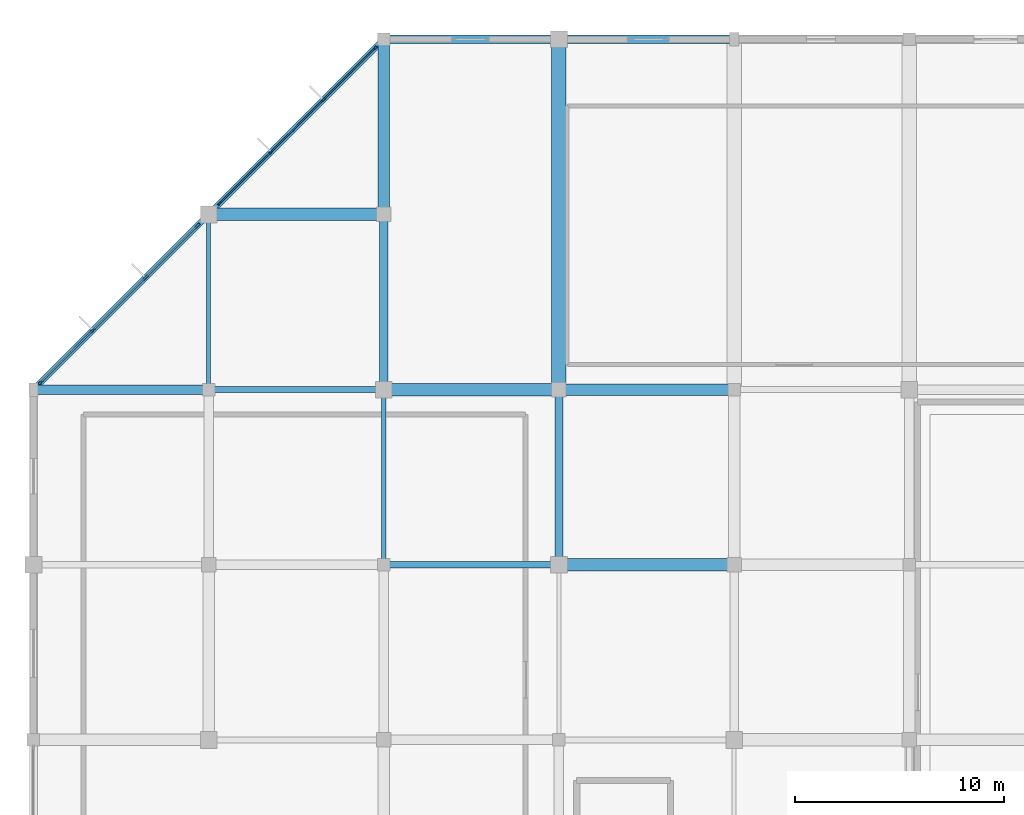
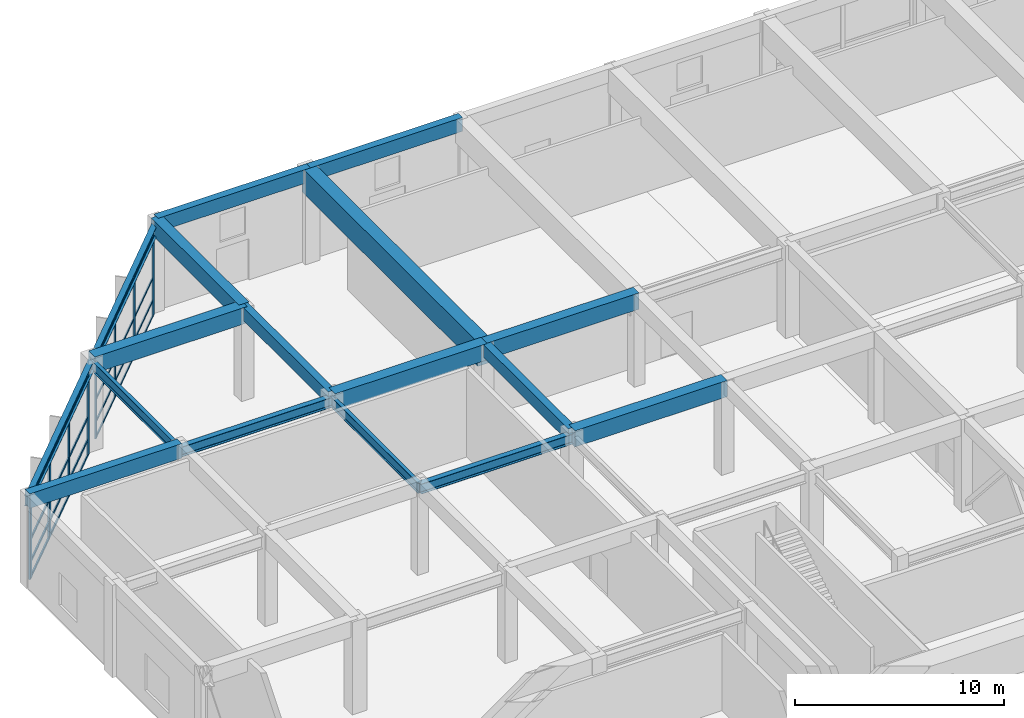
# One storey, part 20 of 62: 32 members, 17 beams, 2 elements without a shape of their own.
"""IFC4 building model written with IfcOpenShell, lengths in metres."""

from ifc_helpers import new_model, si_unit, direction, frame, origin, origin_2d, place, context, subcontext, project, spatial, rectangle, i_section, extrude, material, material_profile, profile_set, type_object, element, aggregate, save


model = new_model("IFC4")

# Units and contexts
model_context = context("Model", 3, precision=1e-05, world=origin(), true_north=direction((0.0, 1.0)))
body_context = subcontext(model_context, "Body", "Model", "MODEL_VIEW")
ifc_project = project(units=[si_unit("LENGTHUNIT", "METRE"), si_unit("AREAUNIT", "SQUARE_METRE"), si_unit("VOLUMEUNIT", "CUBIC_METRE"), si_unit("PLANEANGLEUNIT", "RADIAN"), si_unit("MASSUNIT", "GRAM", prefix="KILO")], contexts=[model_context])

# Site, building, storey
site_placement = place(None, origin())
site = spatial("IfcSite", under=ifc_project, at=site_placement, CompositionType="ELEMENT")
building_placement = place(site_placement, origin())
building = spatial("IfcBuilding", under=site, at=building_placement, Name="Xuanlan Plaza Opera House", CompositionType="ELEMENT")
storey_placement = place(building_placement, origin())
storey = spatial("IfcBuildingStorey", under=building, at=storey_placement, Name="L00", CompositionType="ELEMENT", Elevation=0.0)

# Curtain wall, members
ifc_material_1 = material(Name="Anodised Aluminium 6063-T6 and Low-E Glass", Category="aluminium")
curtain_wall_type_1 = type_object("IfcCurtainWallType", Name="ENV-CW-CW-01", PredefinedType="USERDEFINED", material=ifc_material_1)
curtain_wall_1_placement = place(storey_placement, origin())
curtain_wall_1 = element("IfcCurtainWall", 1, at=curtain_wall_1_placement, inside=storey, type_object=curtain_wall_type_1, Name="Unitised Curtain Wall L00-047", ObjectType="UNITISED CURTAIN WALL", PredefinedType="USERDEFINED")
ifc_material_2 = material(Name="Anodised Aluminium 6063-T6", Category="aluminium")
ifc_material_profile_1 = material_profile(ifc_material_2, rectangle(XDim=0.080078125, YDim=0.219970703125, at=origin_2d()), Name="ALU-M 80x220")
ifc_profile_set_1 = profile_set([ifc_material_profile_1], Name="Anodised Aluminium 6063-T6")
member_type_1 = type_object("IfcMemberType", Name="ENV-CWM-04", PredefinedType="MULLION", material=ifc_profile_set_1)
member_1_placement = place(storey_placement, frame((16.372802734375, 117.172607421875, 0.0), z_axis=(0.0, 0.0, 1.0), x_axis=(0.707106781187, -0.707106781187, 0.0)))
member_1 = element("IfcMember", 2, at=member_1_placement, type_object=member_type_1, Name="CW-01 mullion 1", PredefinedType="MULLION", context=body_context, shape_type="SweptSolid", body=[
    extrude(rectangle(XDim=0.080078125, YDim=0.219970703125, at=origin_2d()), origin(), (0.0, 0.0, 1.0), 4.580078125),
])
member_2_placement = place(storey_placement, frame((13.900390625, 114.700439453125, 0.0), z_axis=(0.0, 0.0, 1.0), x_axis=(0.707106781187, -0.707106781187, 0.0)))
member_2 = element("IfcMember", 3, at=member_2_placement, type_object=member_type_1, Name="CW-01 mullion 2", PredefinedType="MULLION", context=body_context, shape_type="SweptSolid", body=[
    extrude(rectangle(XDim=0.080078125, YDim=0.219970703125, at=origin_2d()), origin(), (0.0, 0.0, 1.0), 4.580078125),
])
member_3_placement = place(storey_placement, frame((11.399658203125, 112.19970703125, 0.0), z_axis=(0.0, 0.0, 1.0), x_axis=(0.707106781187, -0.707106781187, 0.0)))
member_3 = element("IfcMember", 4, at=member_3_placement, type_object=member_type_1, Name="CW-01 mullion 3", PredefinedType="MULLION", context=body_context, shape_type="SweptSolid", body=[
    extrude(rectangle(XDim=0.080078125, YDim=0.219970703125, at=origin_2d()), origin(), (0.0, 0.0, 1.0), 4.580078125),
])
member_4_placement = place(storey_placement, frame((8.92724609375, 109.727294921875, 0.0), z_axis=(0.0, 0.0, 1.0), x_axis=(0.707106781187, -0.707106781187, 0.0)))
member_4 = element("IfcMember", 5, at=member_4_placement, type_object=member_type_1, Name="CW-01 mullion 4", PredefinedType="MULLION", context=body_context, shape_type="SweptSolid", body=[
    extrude(rectangle(XDim=0.080078125, YDim=0.219970703125, at=origin_2d()), origin(), (0.0, 0.0, 1.0), 4.580078125),
])

curtain_wall_type_2 = type_object("IfcCurtainWallType", Name="ENV-CW-CW-02", PredefinedType="USERDEFINED", material=ifc_material_1)
curtain_wall_2_placement = place(storey_placement, origin())
curtain_wall_2 = element("IfcCurtainWall", 6, at=curtain_wall_2_placement, inside=storey, type_object=curtain_wall_type_2, Name="Unitised Curtain Wall L00-048", ObjectType="UNITISED CURTAIN WALL", PredefinedType="USERDEFINED")
ifc_material_profile_2 = material_profile(ifc_material_2, rectangle(XDim=0.090087890625, YDim=0.25, at=origin_2d()), Name="ALU-M 90x250")
ifc_profile_set_2 = profile_set([ifc_material_profile_2], Name="Anodised Aluminium 6063-T6")
member_type_2 = type_object("IfcMemberType", Name="ENV-CWM-05", PredefinedType="MULLION", material=ifc_profile_set_2)
member_5_placement = place(storey_placement, frame((7.869140625, 108.669189453125, 0.0), z_axis=(0.0, 0.0, 1.0), x_axis=(0.707106781187, -0.707106781187, 0.0)))
member_5 = element("IfcMember", 7, at=member_5_placement, type_object=member_type_2, Name="CW-02 mullion 1", PredefinedType="MULLION", context=body_context, shape_type="SweptSolid", body=[
    extrude(rectangle(XDim=0.090087890625, YDim=0.25, at=origin_2d()), origin(), (0.0, 0.0, 1.0), 4.580078125),
])
member_6_placement = place(storey_placement, frame((5.375244140625, 106.17529296875, 0.0), z_axis=(0.0, 0.0, 1.0), x_axis=(0.707106781187, -0.707106781187, 0.0)))
member_6 = element("IfcMember", 8, at=member_6_placement, type_object=member_type_2, Name="CW-02 mullion 2", PredefinedType="MULLION", context=body_context, shape_type="SweptSolid", body=[
    extrude(rectangle(XDim=0.090087890625, YDim=0.25, at=origin_2d()), origin(), (0.0, 0.0, 1.0), 4.580078125),
])
member_7_placement = place(storey_placement, frame((2.849609375, 103.649658203125, 0.0), z_axis=(0.0, 0.0, 1.0), x_axis=(0.707106781187, -0.707106781187, 0.0)))
member_7 = element("IfcMember", 9, at=member_7_placement, type_object=member_type_2, Name="CW-02 mullion 3", PredefinedType="MULLION", context=body_context, shape_type="SweptSolid", body=[
    extrude(rectangle(XDim=0.090087890625, YDim=0.25, at=origin_2d()), origin(), (0.0, 0.0, 1.0), 4.580078125),
])
member_8_placement = place(storey_placement, frame((0.355712890625, 101.15576171875, 0.0), z_axis=(0.0, 0.0, 1.0), x_axis=(0.707106781187, -0.707106781187, 0.0)))
member_8 = element("IfcMember", 10, at=member_8_placement, type_object=member_type_2, Name="CW-02 mullion 4", PredefinedType="MULLION", context=body_context, shape_type="SweptSolid", body=[
    extrude(rectangle(XDim=0.090087890625, YDim=0.25, at=origin_2d()), origin(), (0.0, 0.0, 1.0), 4.580078125),
])

# Member
ifc_material_profile_3 = material_profile(ifc_material_2, rectangle(XDim=0.06494140625, YDim=0.1201171875, at=origin_2d()), Name="ALU-T 65x120")
ifc_profile_set_3 = profile_set([ifc_material_profile_3], Name="Anodised Aluminium 6063-T6")
member_type_3 = type_object("IfcMemberType", Name="ENV-CWT-01", PredefinedType="USERDEFINED", material=ifc_profile_set_3)
member_9_placement = place(storey_placement, frame((16.344482421875, 117.14453125, 0.032470703125), z_axis=(-0.70707105158, -0.707142508988, 0.0), x_axis=(0.707142508988, -0.70707105158, 0.0)))
member_9 = element("IfcMember", 11, at=member_9_placement, type_object=member_type_3, Name="CW-01 transom 1.1", ObjectType="TRANSOM", PredefinedType="USERDEFINED", context=body_context, shape_type="SweptSolid", body=[
    extrude(rectangle(XDim=0.06494140625, YDim=0.1201171875, at=origin_2d()), origin(), (0.0, 0.0, 1.0), 3.41650390625),
])

member_10_placement = place(storey_placement, frame((16.344482421875, 117.14453125, 0.949951171875), z_axis=(-0.70707105158, -0.707142508988, 0.0), x_axis=(0.707142508988, -0.70707105158, 0.0)))
member_10 = element("IfcMember", 12, at=member_10_placement, type_object=member_type_3, Name="CW-01 transom 1.2", ObjectType="TRANSOM", PredefinedType="USERDEFINED", context=body_context, shape_type="SweptSolid", body=[
    extrude(rectangle(XDim=0.06494140625, YDim=0.1201171875, at=origin_2d()), origin(), (0.0, 0.0, 1.0), 3.41650390625),
])

member_11_placement = place(storey_placement, frame((16.344482421875, 117.14453125, 2.25), z_axis=(-0.70707105158, -0.707142508988, 0.0), x_axis=(0.707142508988, -0.70707105158, 0.0)))
member_11 = element("IfcMember", 13, at=member_11_placement, type_object=member_type_3, Name="CW-01 transom 1.3", ObjectType="TRANSOM", PredefinedType="USERDEFINED", context=body_context, shape_type="SweptSolid", body=[
    extrude(rectangle(XDim=0.06494140625, YDim=0.1201171875, at=origin_2d()), origin(), (0.0, 0.0, 1.0), 3.41650390625),
])

member_12_placement = place(storey_placement, frame((16.344482421875, 117.14453125, 4.547607421875), z_axis=(-0.70707105158, -0.707142508988, 0.0), x_axis=(0.707142508988, -0.70707105158, 0.0)))
member_12 = element("IfcMember", 14, at=member_12_placement, type_object=member_type_3, Name="CW-01 transom 1.4", ObjectType="TRANSOM", PredefinedType="USERDEFINED", context=body_context, shape_type="SweptSolid", body=[
    extrude(rectangle(XDim=0.06494140625, YDim=0.1201171875, at=origin_2d()), origin(), (0.0, 0.0, 1.0), 3.41650390625),
])

member_13_placement = place(storey_placement, frame((13.8720703125, 114.672119140625, 0.032470703125), z_axis=(-0.707106781187, -0.707106781187, 0.0), x_axis=(0.707106781187, -0.707106781187, 0.0)))
member_13 = element("IfcMember", 15, at=member_13_placement, type_object=member_type_3, Name="CW-01 transom 2.1", ObjectType="TRANSOM", PredefinedType="USERDEFINED", context=body_context, shape_type="SweptSolid", body=[
    extrude(rectangle(XDim=0.06494140625, YDim=0.1201171875, at=origin_2d()), origin(), (0.0, 0.0, 1.0), 3.45654296875),
])

member_14_placement = place(storey_placement, frame((13.8720703125, 114.672119140625, 0.949951171875), z_axis=(-0.707106781187, -0.707106781187, 0.0), x_axis=(0.707106781187, -0.707106781187, 0.0)))
member_14 = element("IfcMember", 16, at=member_14_placement, type_object=member_type_3, Name="CW-01 transom 2.2", ObjectType="TRANSOM", PredefinedType="USERDEFINED", context=body_context, shape_type="SweptSolid", body=[
    extrude(rectangle(XDim=0.06494140625, YDim=0.1201171875, at=origin_2d()), origin(), (0.0, 0.0, 1.0), 3.45654296875),
])

member_15_placement = place(storey_placement, frame((13.8720703125, 114.672119140625, 2.25), z_axis=(-0.707106781187, -0.707106781187, 0.0), x_axis=(0.707106781187, -0.707106781187, 0.0)))
member_15 = element("IfcMember", 17, at=member_15_placement, type_object=member_type_3, Name="CW-01 transom 2.3", ObjectType="TRANSOM", PredefinedType="USERDEFINED", context=body_context, shape_type="SweptSolid", body=[
    extrude(rectangle(XDim=0.06494140625, YDim=0.1201171875, at=origin_2d()), origin(), (0.0, 0.0, 1.0), 3.45654296875),
])

member_16_placement = place(storey_placement, frame((13.8720703125, 114.672119140625, 4.547607421875), z_axis=(-0.707106781187, -0.707106781187, 0.0), x_axis=(0.707106781187, -0.707106781187, 0.0)))
member_16 = element("IfcMember", 18, at=member_16_placement, type_object=member_type_3, Name="CW-01 transom 2.4", ObjectType="TRANSOM", PredefinedType="USERDEFINED", context=body_context, shape_type="SweptSolid", body=[
    extrude(rectangle(XDim=0.06494140625, YDim=0.1201171875, at=origin_2d()), origin(), (0.0, 0.0, 1.0), 3.45654296875),
])

member_17_placement = place(storey_placement, frame((11.371337890625, 112.17138671875, 0.032470703125), z_axis=(-0.707106781187, -0.707106781187, 0.0), x_axis=(0.707106781187, -0.707106781187, 0.0)))
member_17 = element("IfcMember", 19, at=member_17_placement, type_object=member_type_3, Name="CW-01 transom 3.1", ObjectType="TRANSOM", PredefinedType="USERDEFINED", context=body_context, shape_type="SweptSolid", body=[
    extrude(rectangle(XDim=0.06494140625, YDim=0.1201171875, at=origin_2d()), origin(), (0.0, 0.0, 1.0), 3.41650390625),
])

member_18_placement = place(storey_placement, frame((11.371337890625, 112.17138671875, 0.949951171875), z_axis=(-0.707106781187, -0.707106781187, 0.0), x_axis=(0.707106781187, -0.707106781187, 0.0)))
member_18 = element("IfcMember", 20, at=member_18_placement, type_object=member_type_3, Name="CW-01 transom 3.2", ObjectType="TRANSOM", PredefinedType="USERDEFINED", context=body_context, shape_type="SweptSolid", body=[
    extrude(rectangle(XDim=0.06494140625, YDim=0.1201171875, at=origin_2d()), origin(), (0.0, 0.0, 1.0), 3.41650390625),
])

member_19_placement = place(storey_placement, frame((11.371337890625, 112.17138671875, 2.25), z_axis=(-0.707106781187, -0.707106781187, 0.0), x_axis=(0.707106781187, -0.707106781187, 0.0)))
member_19 = element("IfcMember", 21, at=member_19_placement, type_object=member_type_3, Name="CW-01 transom 3.3", ObjectType="TRANSOM", PredefinedType="USERDEFINED", context=body_context, shape_type="SweptSolid", body=[
    extrude(rectangle(XDim=0.06494140625, YDim=0.1201171875, at=origin_2d()), origin(), (0.0, 0.0, 1.0), 3.41650390625),
])

member_20_placement = place(storey_placement, frame((11.371337890625, 112.17138671875, 4.547607421875), z_axis=(-0.707106781187, -0.707106781187, 0.0), x_axis=(0.707106781187, -0.707106781187, 0.0)))
member_20 = element("IfcMember", 22, at=member_20_placement, type_object=member_type_3, Name="CW-01 transom 3.4", ObjectType="TRANSOM", PredefinedType="USERDEFINED", context=body_context, shape_type="SweptSolid", body=[
    extrude(rectangle(XDim=0.06494140625, YDim=0.1201171875, at=origin_2d()), origin(), (0.0, 0.0, 1.0), 3.41650390625),
])

aggregate(curtain_wall_1, [member_1, member_2, member_3, member_4, member_9, member_10, member_11, member_12, member_13, member_14, member_15, member_16, member_17, member_18, member_19, member_20])

ifc_material_profile_4 = material_profile(ifc_material_2, rectangle(XDim=0.074951171875, YDim=0.14990234375, at=origin_2d()), Name="ALU-T 75x150")
ifc_profile_set_4 = profile_set([ifc_material_profile_4], Name="Anodised Aluminium 6063-T6")
member_type_4 = type_object("IfcMemberType", Name="ENV-CWT-03", PredefinedType="USERDEFINED", material=ifc_profile_set_4)
member_21_placement = place(storey_placement, frame((7.83740234375, 108.637451171875, 0.03759765625), z_axis=(-0.707071263353, -0.707142297236, 0.0), x_axis=(0.707142297236, -0.707071263353, 0.0)))
member_21 = element("IfcMember", 23, at=member_21_placement, type_object=member_type_4, Name="CW-02 transom 1.1", ObjectType="TRANSOM", PredefinedType="USERDEFINED", context=body_context, shape_type="SweptSolid", body=[
    extrude(rectangle(XDim=0.074951171875, YDim=0.14990234375, at=origin_2d()), origin(), (0.0, 0.0, 1.0), 3.43701171875),
])

member_22_placement = place(storey_placement, frame((7.83740234375, 108.637451171875, 0.949951171875), z_axis=(-0.707071263353, -0.707142297236, 0.0), x_axis=(0.707142297236, -0.707071263353, 0.0)))
member_22 = element("IfcMember", 24, at=member_22_placement, type_object=member_type_4, Name="CW-02 transom 1.2", ObjectType="TRANSOM", PredefinedType="USERDEFINED", context=body_context, shape_type="SweptSolid", body=[
    extrude(rectangle(XDim=0.074951171875, YDim=0.14990234375, at=origin_2d()), origin(), (0.0, 0.0, 1.0), 3.43701171875),
])

member_23_placement = place(storey_placement, frame((7.83740234375, 108.637451171875, 2.25), z_axis=(-0.707071263353, -0.707142297236, 0.0), x_axis=(0.707142297236, -0.707071263353, 0.0)))
member_23 = element("IfcMember", 25, at=member_23_placement, type_object=member_type_4, Name="CW-02 transom 1.3", ObjectType="TRANSOM", PredefinedType="USERDEFINED", context=body_context, shape_type="SweptSolid", body=[
    extrude(rectangle(XDim=0.074951171875, YDim=0.14990234375, at=origin_2d()), origin(), (0.0, 0.0, 1.0), 3.43701171875),
])

member_24_placement = place(storey_placement, frame((7.83740234375, 108.637451171875, 4.54248046875), z_axis=(-0.707071263353, -0.707142297236, 0.0), x_axis=(0.707142297236, -0.707071263353, 0.0)))
member_24 = element("IfcMember", 26, at=member_24_placement, type_object=member_type_4, Name="CW-02 transom 1.4", ObjectType="TRANSOM", PredefinedType="USERDEFINED", context=body_context, shape_type="SweptSolid", body=[
    extrude(rectangle(XDim=0.074951171875, YDim=0.14990234375, at=origin_2d()), origin(), (0.0, 0.0, 1.0), 3.43701171875),
])

member_25_placement = place(storey_placement, frame((5.343505859375, 106.1435546875, 0.03759765625), z_axis=(-0.707071721228, -0.707141839407, 0.0), x_axis=(0.707141839407, -0.707071721228, 0.0)))
member_25 = element("IfcMember", 27, at=member_25_placement, type_object=member_type_4, Name="CW-02 transom 2.1", ObjectType="TRANSOM", PredefinedType="USERDEFINED", context=body_context, shape_type="SweptSolid", body=[
    extrude(rectangle(XDim=0.074951171875, YDim=0.14990234375, at=origin_2d()), origin(), (0.0, 0.0, 1.0), 3.48193359375),
])

member_26_placement = place(storey_placement, frame((5.343505859375, 106.1435546875, 0.949951171875), z_axis=(-0.707071721228, -0.707141839407, 0.0), x_axis=(0.707141839407, -0.707071721228, 0.0)))
member_26 = element("IfcMember", 28, at=member_26_placement, type_object=member_type_4, Name="CW-02 transom 2.2", ObjectType="TRANSOM", PredefinedType="USERDEFINED", context=body_context, shape_type="SweptSolid", body=[
    extrude(rectangle(XDim=0.074951171875, YDim=0.14990234375, at=origin_2d()), origin(), (0.0, 0.0, 1.0), 3.48193359375),
])

member_27_placement = place(storey_placement, frame((5.343505859375, 106.1435546875, 2.25), z_axis=(-0.707071721228, -0.707141839407, 0.0), x_axis=(0.707141839407, -0.707071721228, 0.0)))
member_27 = element("IfcMember", 29, at=member_27_placement, type_object=member_type_4, Name="CW-02 transom 2.3", ObjectType="TRANSOM", PredefinedType="USERDEFINED", context=body_context, shape_type="SweptSolid", body=[
    extrude(rectangle(XDim=0.074951171875, YDim=0.14990234375, at=origin_2d()), origin(), (0.0, 0.0, 1.0), 3.48193359375),
])

member_28_placement = place(storey_placement, frame((5.343505859375, 106.1435546875, 4.54248046875), z_axis=(-0.707071721228, -0.707141839407, 0.0), x_axis=(0.707141839407, -0.707071721228, 0.0)))
member_28 = element("IfcMember", 30, at=member_28_placement, type_object=member_type_4, Name="CW-02 transom 2.4", ObjectType="TRANSOM", PredefinedType="USERDEFINED", context=body_context, shape_type="SweptSolid", body=[
    extrude(rectangle(XDim=0.074951171875, YDim=0.14990234375, at=origin_2d()), origin(), (0.0, 0.0, 1.0), 3.48193359375),
])

member_29_placement = place(storey_placement, frame((2.81787109375, 103.617919921875, 0.03759765625), z_axis=(-0.707106781187, -0.707106781187, 0.0), x_axis=(0.707106781187, -0.707106781187, 0.0)))
member_29 = element("IfcMember", 31, at=member_29_placement, type_object=member_type_4, Name="CW-02 transom 3.1", ObjectType="TRANSOM", PredefinedType="USERDEFINED", context=body_context, shape_type="SweptSolid", body=[
    extrude(rectangle(XDim=0.074951171875, YDim=0.14990234375, at=origin_2d()), origin(), (0.0, 0.0, 1.0), 3.436767578125),
])

member_30_placement = place(storey_placement, frame((2.81787109375, 103.617919921875, 0.949951171875), z_axis=(-0.707106781187, -0.707106781187, 0.0), x_axis=(0.707106781187, -0.707106781187, 0.0)))
member_30 = element("IfcMember", 32, at=member_30_placement, type_object=member_type_4, Name="CW-02 transom 3.2", ObjectType="TRANSOM", PredefinedType="USERDEFINED", context=body_context, shape_type="SweptSolid", body=[
    extrude(rectangle(XDim=0.074951171875, YDim=0.14990234375, at=origin_2d()), origin(), (0.0, 0.0, 1.0), 3.436767578125),
])

member_31_placement = place(storey_placement, frame((2.81787109375, 103.617919921875, 2.25), z_axis=(-0.707106781187, -0.707106781187, 0.0), x_axis=(0.707106781187, -0.707106781187, 0.0)))
member_31 = element("IfcMember", 33, at=member_31_placement, type_object=member_type_4, Name="CW-02 transom 3.3", ObjectType="TRANSOM", PredefinedType="USERDEFINED", context=body_context, shape_type="SweptSolid", body=[
    extrude(rectangle(XDim=0.074951171875, YDim=0.14990234375, at=origin_2d()), origin(), (0.0, 0.0, 1.0), 3.436767578125),
])

member_32_placement = place(storey_placement, frame((2.81787109375, 103.617919921875, 4.54248046875), z_axis=(-0.707106781187, -0.707106781187, 0.0), x_axis=(0.707106781187, -0.707106781187, 0.0)))
member_32 = element("IfcMember", 34, at=member_32_placement, type_object=member_type_4, Name="CW-02 transom 3.4", ObjectType="TRANSOM", PredefinedType="USERDEFINED", context=body_context, shape_type="SweptSolid", body=[
    extrude(rectangle(XDim=0.074951171875, YDim=0.14990234375, at=origin_2d()), origin(), (0.0, 0.0, 1.0), 3.436767578125),
])

aggregate(curtain_wall_2, [member_5, member_6, member_7, member_8, member_21, member_22, member_23, member_24, member_25, member_26, member_27, member_28, member_29, member_30, member_31, member_32])

# Beams
ifc_material_3 = material(Name="Concrete C50", Category="concrete")
ifc_material_profile_5 = material_profile(ifc_material_3, rectangle(XDim=0.60009765625, YDim=0.949951171875, at=origin_2d()), Name="RC-BM 600x950")
ifc_profile_set_5 = profile_set([ifc_material_profile_5], Name="Concrete C50")
beam_type_1 = type_object("IfcBeamType", Name="STR-BM-B-01", PredefinedType="BEAM", material=ifc_profile_set_5)
beam_1_placement = place(storey_placement, frame((25.199951171875, 92.39990234375, 4.925048828125), z_axis=(1.0, 0.0, 0.0), x_axis=(0.0, 1.0, 0.0)))
element("IfcBeam", 35, at=beam_1_placement, inside=storey, type_object=beam_type_1, Name="Grid Beam X L00 4-5/L", PredefinedType="BEAM", context=body_context, shape_type="SweptSolid", body=[
    extrude(rectangle(XDim=0.60009765625, YDim=0.949951171875, at=origin_2d()), origin(), (0.0, 0.0, 1.0), 8.400146484375),
])
beam_2_placement = place(storey_placement, frame((16.800048828125, 100.800048828125, 4.925048828125), z_axis=(1.0, 0.0, 0.0), x_axis=(0.0, 1.0, 0.0)))
element("IfcBeam", 36, at=beam_2_placement, inside=storey, type_object=beam_type_1, Name="Grid Beam X L00 3-4/M", PredefinedType="BEAM", context=body_context, shape_type="SweptSolid", body=[
    extrude(rectangle(XDim=0.60009765625, YDim=0.949951171875, at=origin_2d()), origin(), (0.0, 0.0, 1.0), 8.39990234375),
])
beam_3_placement = place(storey_placement, frame((8.39990234375, 109.199951171875, 4.925048828125), z_axis=(1.0, 0.0, 0.0), x_axis=(0.0, 1.0, 0.0)))
element("IfcBeam", 37, at=beam_3_placement, inside=storey, type_object=beam_type_1, Name="Grid Beam X L00 2-3/N", PredefinedType="BEAM", context=body_context, shape_type="SweptSolid", body=[
    extrude(rectangle(XDim=0.60009765625, YDim=0.949951171875, at=origin_2d()), origin(), (0.0, 0.0, 1.0), 8.400146484375),
])
ifc_material_profile_6 = material_profile(ifc_material_3, rectangle(XDim=0.550048828125, YDim=0.949951171875, at=origin_2d()), Name="RC-BM 550x950")
ifc_profile_set_6 = profile_set([ifc_material_profile_6], Name="Concrete C50")
beam_type_2 = type_object("IfcBeamType", Name="STR-BM-B-02", PredefinedType="BEAM", material=ifc_profile_set_6)
for number, where, z_axis, x_axis, name in (
    (38, (25.199951171875, 100.800048828125, 4.925048828125), (1.0, 0.0, 0.0), (0.0, 1.0, 0.0), "Grid Beam X L00 4-5/M"),
    (39, (16.800048828125, 109.199951171875, 4.925048828125), (0.0, 1.0, 0.0), (-1.0, 0.0, 0.0), "Grid Beam Y L00 3/N-O"),
):
    element("IfcBeam", number, at=place(storey_placement, frame(where, z_axis=z_axis, x_axis=x_axis)), inside=storey, type_object=beam_type_2, Name=name, PredefinedType="BEAM", context=body_context, shape_type="SweptSolid", body=[
        extrude(rectangle(XDim=0.550048828125, YDim=0.949951171875, at=origin_2d()), origin(), (0.0, 0.0, 1.0), 8.400146484375),
    ])
ifc_material_4 = material(Name="Concrete C40", Category="concrete")
ifc_material_profile_7 = material_profile(ifc_material_4, rectangle(XDim=0.449951171875, YDim=0.85009765625, at=origin_2d()), Name="RC-BM 450x850")
ifc_profile_set_7 = profile_set([ifc_material_profile_7], Name="Concrete C40")
beam_type_3 = type_object("IfcBeamType", Name="STR-BM-B-04", PredefinedType="BEAM", material=ifc_profile_set_7)
beam_4_placement = place(storey_placement, frame((0.0, 100.800048828125, 4.97509765625), z_axis=(1.0, 0.0, 0.0), x_axis=(0.0, 1.0, 0.0)))
element("IfcBeam", 40, at=beam_4_placement, inside=storey, type_object=beam_type_3, Name="Grid Beam X L00 1-2/M", PredefinedType="BEAM", context=body_context, shape_type="SweptSolid", body=[
    extrude(rectangle(XDim=0.449951171875, YDim=0.85009765625, at=origin_2d()), origin(), (0.0, 0.0, 1.0), 8.39990234375),
])
ifc_material_profile_8 = material_profile(ifc_material_4, rectangle(XDim=0.39990234375, YDim=0.75, at=origin_2d()), Name="RC-BM 400x750")
ifc_profile_set_8 = profile_set([ifc_material_profile_8], Name="Concrete C40")
beam_type_4 = type_object("IfcBeamType", Name="STR-BM-B-06", PredefinedType="BEAM", material=ifc_profile_set_8)
beam_5_placement = place(storey_placement, frame((16.800048828125, 100.800048828125, 5.02490234375), z_axis=(0.0, 1.0, 0.0), x_axis=(-1.0, 0.0, 0.0)))
element("IfcBeam", 41, at=beam_5_placement, inside=storey, type_object=beam_type_4, Name="Grid Beam Y L00 3/M-N", PredefinedType="BEAM", context=body_context, shape_type="SweptSolid", body=[
    extrude(rectangle(XDim=0.39990234375, YDim=0.75, at=origin_2d()), origin(), (0.0, 0.0, 1.0), 8.39990234375),
])
beam_6_placement = place(storey_placement, frame((25.199951171875, 92.39990234375, 5.02490234375), z_axis=(0.0, 1.0, 0.0), x_axis=(-1.0, 0.0, 0.0)))
element("IfcBeam", 42, at=beam_6_placement, inside=storey, type_object=beam_type_4, Name="Grid Beam Y L00 4/L-M", PredefinedType="BEAM", context=body_context, shape_type="SweptSolid", body=[
    extrude(rectangle(XDim=0.39990234375, YDim=0.75, at=origin_2d()), origin(), (0.0, 0.0, 1.0), 8.400146484375),
])
ifc_material_profile_9 = material_profile(ifc_material_3, rectangle(XDim=0.699951171875, YDim=1.39990234375, at=origin_2d()), Name="RC-LG 700x1400")
ifc_profile_set_9 = profile_set([ifc_material_profile_9], Name="Concrete C50")
beam_type_5 = type_object("IfcBeamType", Name="STR-BM-LG-01", PredefinedType="BEAM", material=ifc_profile_set_9)
beam_7_placement = place(storey_placement, frame((25.199951171875, 100.800048828125, 4.699951171875), z_axis=(0.0, 1.0, 0.0), x_axis=(-1.0, 0.0, 0.0)))
element("IfcBeam", 43, at=beam_7_placement, inside=storey, type_object=beam_type_5, Name="Grid Beam Y L00 4/M-O", PredefinedType="BEAM", context=body_context, shape_type="SweptSolid", body=[
    extrude(rectangle(XDim=0.699951171875, YDim=1.39990234375, at=origin_2d()), origin(), (0.0, 0.0, 1.0), 16.800048828125),
])
ifc_material_5 = material(Name="Steel Q355B", Category="steel")
ifc_material_profile_10 = material_profile(ifc_material_5, i_section(OverallWidth=0.199951171875, OverallDepth=0.60009765625, WebThickness=0.010986328125, FlangeThickness=0.01708984375, FilletRadius=0.02197265625, at=origin_2d()), Name="HN 600x200x11x17")
ifc_profile_set_10 = profile_set([ifc_material_profile_10], Name="Steel Q355B")
beam_type_6 = type_object("IfcBeamType", Name="STR-BM-SB-04", PredefinedType="BEAM", material=ifc_profile_set_10)
beam_8_placement = place(storey_placement, frame((8.39990234375, 100.800048828125, 4.8349609375), z_axis=(0.0, 1.0, 0.0), x_axis=(-1.0, 0.0, 0.0)))
element("IfcBeam", 44, at=beam_8_placement, inside=storey, type_object=beam_type_6, Name="Grid Beam Y L00 2/M-N", PredefinedType="BEAM", context=body_context, shape_type="SweptSolid", body=[
    extrude(i_section(OverallWidth=0.199951171875, OverallDepth=0.60009765625, WebThickness=0.010986328125, FlangeThickness=0.01708984375, FilletRadius=0.02197265625, at=origin_2d()), origin(), (0.0, 0.0, 1.0), 8.39990234375),
])
beam_9_placement = place(storey_placement, frame((16.800048828125, 92.39990234375, 4.8349609375), z_axis=(0.0, 1.0, 0.0), x_axis=(-1.0, 0.0, 0.0)))
element("IfcBeam", 45, at=beam_9_placement, inside=storey, type_object=beam_type_6, Name="Grid Beam Y L00 3/L-M", PredefinedType="BEAM", context=body_context, shape_type="SweptSolid", body=[
    extrude(i_section(OverallWidth=0.199951171875, OverallDepth=0.60009765625, WebThickness=0.010986328125, FlangeThickness=0.01708984375, FilletRadius=0.02197265625, at=origin_2d()), origin(), (0.0, 0.0, 1.0), 8.400146484375),
])
ifc_material_profile_11 = material_profile(ifc_material_5, i_section(OverallWidth=0.300048828125, OverallDepth=0.587890625, WebThickness=0.011962890625, FlangeThickness=0.02001953125, FilletRadius=0.02392578125, at=origin_2d()), Name="HM 588x300x12x20")
ifc_profile_set_11 = profile_set([ifc_material_profile_11], Name="Steel Q355B")
beam_type_7 = type_object("IfcBeamType", Name="STR-BM-SB-06", PredefinedType="BEAM", material=ifc_profile_set_11)
beam_10_placement = place(storey_placement, frame((16.800048828125, 92.39990234375, 4.841064453125), z_axis=(1.0, 0.0, 0.0), x_axis=(0.0, 1.0, 0.0)))
element("IfcBeam", 46, at=beam_10_placement, inside=storey, type_object=beam_type_7, Name="Grid Beam X L00 3-4/L", PredefinedType="BEAM", context=body_context, shape_type="SweptSolid", body=[
    extrude(i_section(OverallWidth=0.300048828125, OverallDepth=0.587890625, WebThickness=0.011962890625, FlangeThickness=0.02001953125, FilletRadius=0.02392578125, at=origin_2d()), origin(), (0.0, 0.0, 1.0), 8.39990234375),
])
beam_11_placement = place(storey_placement, frame((8.39990234375, 100.800048828125, 4.841064453125), z_axis=(1.0, 0.0, 0.0), x_axis=(0.0, 1.0, 0.0)))
element("IfcBeam", 47, at=beam_11_placement, inside=storey, type_object=beam_type_7, Name="Grid Beam X L00 2-3/M", PredefinedType="BEAM", context=body_context, shape_type="SweptSolid", body=[
    extrude(i_section(OverallWidth=0.300048828125, OverallDepth=0.587890625, WebThickness=0.011962890625, FlangeThickness=0.02001953125, FilletRadius=0.02392578125, at=origin_2d()), origin(), (0.0, 0.0, 1.0), 8.400146484375),
])
ifc_material_profile_12 = material_profile(ifc_material_4, rectangle(XDim=0.39990234375, YDim=0.800048828125, at=origin_2d()), Name="RC-SPD 400x800")
ifc_profile_set_12 = profile_set([ifc_material_profile_12], Name="Concrete C40")
beam_type_8 = type_object("IfcBeamType", Name="STR-BM-SP-01", PredefinedType="SPANDREL", material=ifc_profile_set_12)
beam_12_placement = place(storey_placement, frame((16.800048828125, 117.60009765625, 5.0), z_axis=(1.0, 0.0, 0.0), x_axis=(0.0, 1.0, 0.0)))
element("IfcBeam", 48, at=beam_12_placement, inside=storey, type_object=beam_type_8, Name="Grid Beam X L00 3-4/O", PredefinedType="SPANDREL", context=body_context, shape_type="SweptSolid", body=[
    extrude(rectangle(XDim=0.39990234375, YDim=0.800048828125, at=origin_2d()), origin(), (0.0, 0.0, 1.0), 8.39990234375),
])
beam_13_placement = place(storey_placement, frame((25.199951171875, 117.60009765625, 5.0), z_axis=(1.0, 0.0, 0.0), x_axis=(0.0, 1.0, 0.0)))
element("IfcBeam", 49, at=beam_13_placement, inside=storey, type_object=beam_type_8, Name="Grid Beam X L00 4-5/O", PredefinedType="SPANDREL", context=body_context, shape_type="SweptSolid", body=[
    extrude(rectangle(XDim=0.39990234375, YDim=0.800048828125, at=origin_2d()), origin(), (0.0, 0.0, 1.0), 8.400146484375),
])
ifc_material_profile_13 = material_profile(ifc_material_5, i_section(OverallWidth=0.300048828125, OverallDepth=0.587890625, WebThickness=0.011962890625, FlangeThickness=0.02001953125, FilletRadius=0.02392578125, at=origin_2d()), Name="HM 588x300x12x20")
ifc_profile_set_13 = profile_set([ifc_material_profile_13], Name="Steel Q355B")
beam_type_9 = type_object("IfcBeamType", Name="STR-BM-SP-03", PredefinedType="SPANDREL", material=ifc_profile_set_13)
beam_14_placement = place(storey_placement, frame((0.0, 100.800048828125, 4.841064453125), z_axis=(0.707106781187, 0.707106781187, 0.0), x_axis=(-0.707106781187, 0.707106781187, 0.0)))
element("IfcBeam", 50, at=beam_14_placement, inside=storey, type_object=beam_type_9, Name="Faceted Edge Spandrel L00 CH07A", PredefinedType="SPANDREL", context=body_context, shape_type="SweptSolid", body=[
    extrude(i_section(OverallWidth=0.300048828125, OverallDepth=0.587890625, WebThickness=0.011962890625, FlangeThickness=0.02001953125, FilletRadius=0.02392578125, at=origin_2d()), origin(), (0.0, 0.0, 1.0), 11.879150390625),
])
beam_15_placement = place(storey_placement, frame((8.39990234375, 109.199951171875, 4.841064453125), z_axis=(0.707106781187, 0.707106781187, 0.0), x_axis=(-0.707106781187, 0.707106781187, 0.0)))
element("IfcBeam", 51, at=beam_15_placement, inside=storey, type_object=beam_type_9, Name="Faceted Edge Spandrel L00 CH07B", PredefinedType="SPANDREL", context=body_context, shape_type="SweptSolid", body=[
    extrude(i_section(OverallWidth=0.300048828125, OverallDepth=0.587890625, WebThickness=0.011962890625, FlangeThickness=0.02001953125, FilletRadius=0.02392578125, at=origin_2d()), origin(), (0.0, 0.0, 1.0), 11.879638671875),
])

save(model, "model.ifc")
